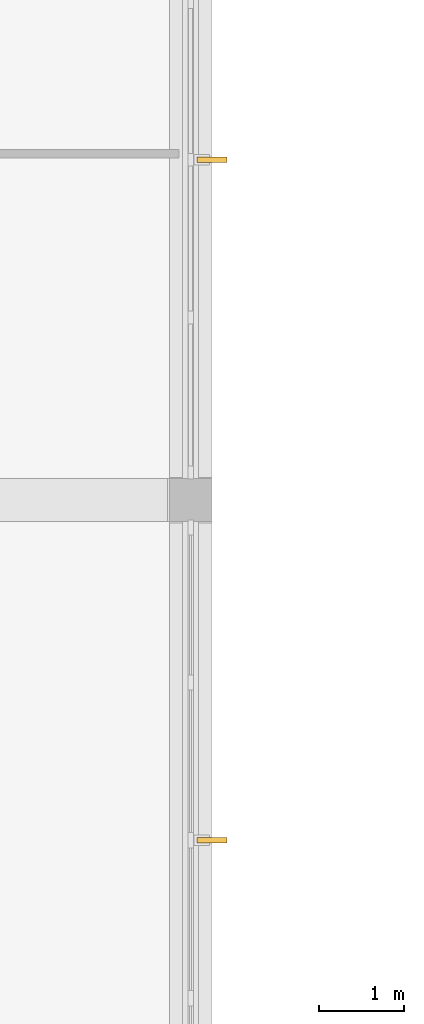
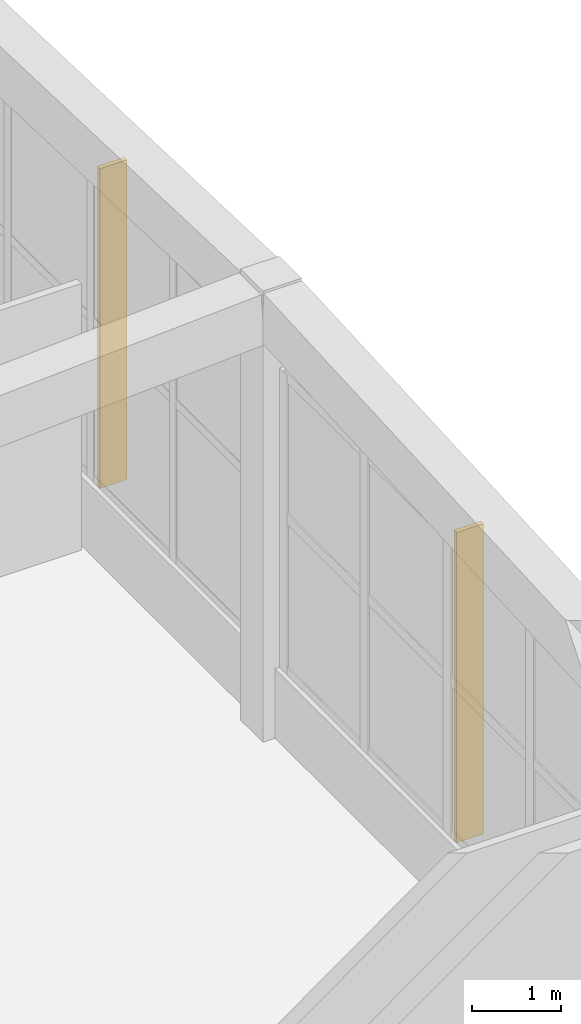
# One storey, part 87 of 89: 2 shading devices.
"""IFC4 building model written with IfcOpenShell, lengths in metres."""

from ifc_helpers import new_model, si_unit, direction, frame, origin, origin_2d, place, context, subcontext, project, spatial, rectangle, extrude, material, layer, layer_set, type_object, element, save


model = new_model("IFC4")

# Units and contexts
model_context = context("Model", 3, precision=1e-05, world=origin(), true_north=direction((0.0, 1.0)))
body_context = subcontext(model_context, "Body", "Model", "MODEL_VIEW")
ifc_project = project(units=[si_unit("LENGTHUNIT", "METRE"), si_unit("AREAUNIT", "SQUARE_METRE"), si_unit("VOLUMEUNIT", "CUBIC_METRE"), si_unit("PLANEANGLEUNIT", "RADIAN"), si_unit("MASSUNIT", "GRAM", prefix="KILO")], contexts=[model_context])

# Site, building, storey
site_placement = place(None, origin())
site = spatial("IfcSite", under=ifc_project, at=site_placement, CompositionType="ELEMENT")
building_placement = place(site_placement, origin())
building = spatial("IfcBuilding", under=site, at=building_placement, Name="Tonlespit Floodbar School", CompositionType="ELEMENT")
storey_placement = place(building_placement, frame((0.0, 0.0, 4.5)))
storey = spatial("IfcBuildingStorey", under=building, at=storey_placement, Name="L01", CompositionType="ELEMENT", Elevation=4.5)

# Shading devices
ifc_material = material(Name="Terracotta Anodised Aluminium", Category="masonry")
ifc_layer = layer(ifc_material, 0.06005859375)
ifc_layer_set = layer_set([ifc_layer], Name="Terracotta Anodised Aluminium")
shading_device_type = type_object("IfcShadingDeviceType", Name="Shading_SolarFin_350", PredefinedType="USERDEFINED", material=ifc_layer_set)
shading_device_1_placement = place(storey_placement, frame((176.25244140625, 92.0, 0.7998046875), z_axis=(0.0, 0.0, 1.0), x_axis=(0.0, -1.0, 0.0)))
element("IfcShadingDevice", 1, at=shading_device_1_placement, inside=storey, type_object=shading_device_type, Name="L01 vertical solar fin 264", ObjectType="SOLAR FIN", PredefinedType="USERDEFINED", context=body_context, shape_type="SweptSolid", body=[
    extrude(rectangle(XDim=0.06005859375, YDim=0.35009765625, at=origin_2d()), origin(), (0.0, 0.0, 1.0), 4.377197265625),
])
shading_device_2_placement = place(storey_placement, frame((176.25244140625, 84.0, 0.800048828125), z_axis=(0.0, 0.0, 1.0), x_axis=(0.0, -1.0, 0.0)))
element("IfcShadingDevice", 2, at=shading_device_2_placement, inside=storey, type_object=shading_device_type, Name="L01 vertical solar fin 265", ObjectType="SOLAR FIN", PredefinedType="USERDEFINED", context=body_context, shape_type="SweptSolid", body=[
    extrude(rectangle(XDim=0.06005859375, YDim=0.35009765625, at=origin_2d()), origin(), (0.0, 0.0, 1.0), 4.2490234375),
])

save(model, "model.ifc")
